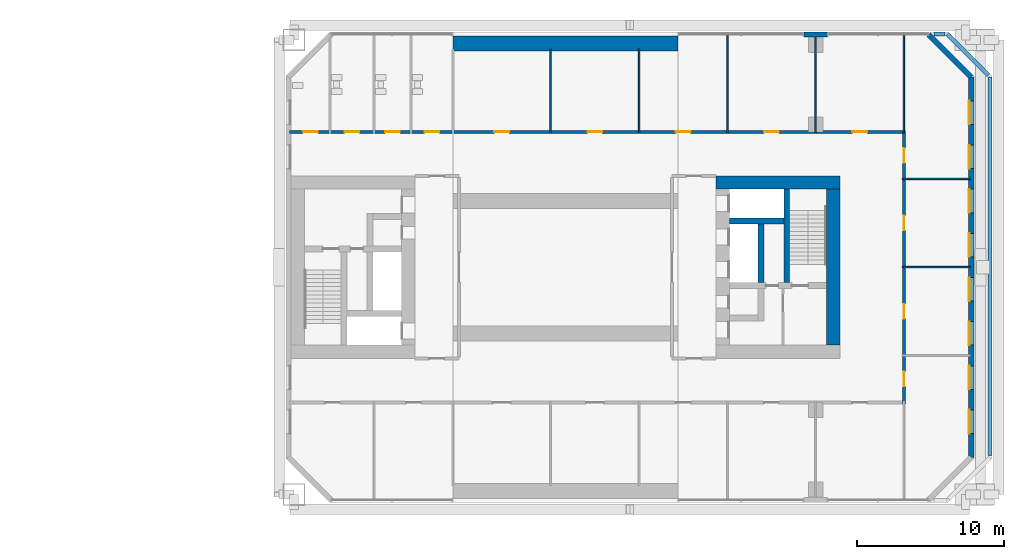
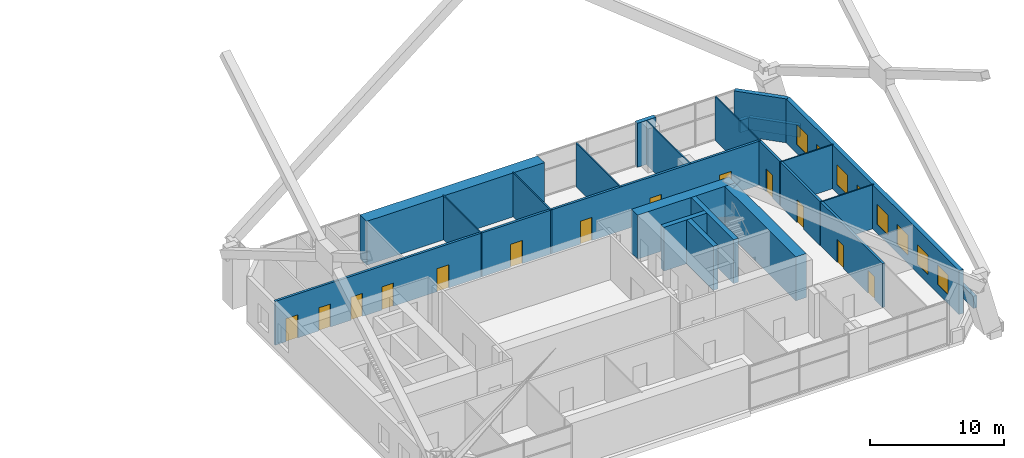
# One storey, part 22 of 25: 21 walls, 13 doors, 8 windows, 21 openings.
"""IFC4 building model written with IfcOpenShell, lengths in metres."""

from ifc_helpers import new_model, si_unit, direction, frame, frame_2d, origin, place, context, subcontext, project, spatial, rectangle, extrude, material, layer, layer_set, type_object, element, fill, save


model = new_model("IFC4")

# Units and contexts
model_context = context("Model", 3, precision=1e-05, world=origin(), true_north=direction((0.0, 1.0)))
body_context = subcontext(model_context, "Body", "Model", "MODEL_VIEW")
ifc_project = project(units=[si_unit("LENGTHUNIT", "METRE"), si_unit("AREAUNIT", "SQUARE_METRE"), si_unit("VOLUMEUNIT", "CUBIC_METRE"), si_unit("PLANEANGLEUNIT", "RADIAN"), si_unit("MASSUNIT", "GRAM", prefix="KILO")], contexts=[model_context])

# Site, building, storey
site_placement = place(None, origin())
site = spatial("IfcSite", under=ifc_project, at=site_placement, CompositionType="ELEMENT")
building_placement = place(site_placement, origin())
building = spatial("IfcBuilding", under=site, at=building_placement, Name="Tuart Gate Housing", CompositionType="ELEMENT")
storey_placement = place(building_placement, frame((0.0, 0.0, 14.699951171875)))
storey = spatial("IfcBuildingStorey", under=building, at=storey_placement, Name="L03", CompositionType="ELEMENT", Elevation=14.699951171875)

# Walls
ifc_material_1 = material(Name="Brick", Category="masonry")
ifc_layer_1 = layer(ifc_material_1, 0.300048828125)
ifc_layer_set_1 = layer_set([ifc_layer_1], Name="Brick parapet wall 300")
wall_type_1 = type_object("IfcWallType", Name="Brick parapet wall 300", PredefinedType="PARAPET", material=ifc_layer_set_1)
wall_1_placement = place(storey_placement, frame((178.85009765625, 57.214111328125, 0.0), z_axis=(0.0, 0.0, 1.0), x_axis=(0.0, 1.0, 0.0)))
element("IfcWall", 1, at=wall_1_placement, inside=storey, type_object=wall_type_1, Name="Roof parapet B 3", PredefinedType="PARAPET", context=body_context, shape_type="SweptSolid", body=[
    extrude(rectangle(XDim=25.723876953125, YDim=0.300048828125, at=frame_2d((12.86181640625, 0.0))), origin(), (0.0, 0.0, 1.0), 1.10009765625),
])
wall_2_placement = place(storey_placement, frame((178.742431640625, 83.04541015625, 0.0), z_axis=(0.0, 0.0, 1.0), x_axis=(-0.70707600329, 0.707137557743, 0.0)))
element("IfcWall", 2, at=wall_2_placement, inside=storey, type_object=wall_type_1, Name="Roof parapet B 4", PredefinedType="PARAPET", context=body_context, shape_type="SweptSolid", body=[
    extrude(rectangle(XDim=3.96630859375, YDim=0.300048828125, at=frame_2d((1.983154296875, 0.0))), origin(), (0.0, 0.0, 1.0), 1.10009765625),
])
wall_3_placement = place(storey_placement, frame((175.785888671875, 85.85009765625, 0.0), z_axis=(0.0, 0.0, 1.0), x_axis=(-1.0, 0.0, 0.0)))
element("IfcWall", 3, at=wall_3_placement, inside=storey, type_object=wall_type_1, Name="Roof parapet B 5", PredefinedType="PARAPET", context=body_context, shape_type="SweptSolid", body=[
    extrude(rectangle(XDim=0.73583984375, YDim=0.300048828125, at=frame_2d((0.367919921875, 0.0))), origin(), (0.0, 0.0, 1.0), 1.10009765625),
])

# Wall, openings, windows
ifc_material_2 = material(Name="Brick", Category="masonry")
ifc_layer_2 = layer(ifc_material_2, 0.360107421875)
ifc_layer_set_2 = layer_set([ifc_layer_2], Name="Brick pier and spandrel wall 360")
wall_type_2 = type_object("IfcWallType", Name="Brick pier and spandrel wall 360", PredefinedType="STANDARD", material=ifc_layer_set_2)
wall_4_placement = place(storey_placement, frame((177.570068359375, 57.07470703125, 0.0), z_axis=(0.0, 0.0, 1.0), x_axis=(0.0, 1.0, 0.0)))
wall_4 = element("IfcWall", 4, at=wall_4_placement, inside=storey, type_object=wall_type_2, Name="External wall B-E L03", PredefinedType="STANDARD", context=body_context, shape_type="SweptSolid", body=[
    extrude(rectangle(XDim=25.850830078125, YDim=0.360107421875, at=frame_2d((12.92529296875, 0.0))), origin(), (0.0, 0.0, 1.0), 4.0),
])
opening_1_placement = place(wall_4_placement, frame((1.62548828125, 0.0, 0.800048828125)))
opening_1 = element("IfcOpeningElement", 5, at=opening_1_placement, cuts=wall_4, Name="Opening W1", PredefinedType="OPENING", context=body_context, shape_type="SweptSolid", body=[
    extrude(rectangle(XDim=1.60009765625, YDim=1.800048828125, at=frame_2d((0.800048828125, 0.89990234375))), frame((0.0, 0.18994140625, 0.0), z_axis=(0.0, -1.0, 0.0), x_axis=(1.0, 0.0, 0.0)), (0.0, 0.0, 1.0), 0.380126953125),
])
opening_2_placement = place(wall_4_placement, frame((4.62548828125, 0.0, 0.800048828125)))
opening_2 = element("IfcOpeningElement", 6, at=opening_2_placement, cuts=wall_4, Name="Opening W1", PredefinedType="OPENING", context=body_context, shape_type="SweptSolid", body=[
    extrude(rectangle(XDim=1.60009765625, YDim=1.800048828125, at=frame_2d((0.800048828125, 0.89990234375))), frame((0.0, 0.18994140625, 0.0), z_axis=(0.0, -1.0, 0.0), x_axis=(1.0, 0.0, 0.0)), (0.0, 0.0, 1.0), 0.380126953125),
])
opening_3_placement = place(wall_4_placement, frame((7.62548828125, 0.0, 0.800048828125)))
opening_3 = element("IfcOpeningElement", 7, at=opening_3_placement, cuts=wall_4, Name="Opening W1", PredefinedType="OPENING", context=body_context, shape_type="SweptSolid", body=[
    extrude(rectangle(XDim=1.60009765625, YDim=1.800048828125, at=frame_2d((0.800048828125, 0.89990234375))), frame((0.0, 0.18994140625, 0.0), z_axis=(0.0, -1.0, 0.0), x_axis=(1.0, 0.0, 0.0)), (0.0, 0.0, 1.0), 0.380126953125),
])
opening_4_placement = place(wall_4_placement, frame((10.62548828125, 0.0, 0.800048828125)))
opening_4 = element("IfcOpeningElement", 8, at=opening_4_placement, cuts=wall_4, Name="Opening W1", PredefinedType="OPENING", context=body_context, shape_type="SweptSolid", body=[
    extrude(rectangle(XDim=1.60009765625, YDim=1.800048828125, at=frame_2d((0.800048828125, 0.89990234375))), frame((0.0, 0.18994140625, 0.0), z_axis=(0.0, -1.0, 0.0), x_axis=(1.0, 0.0, 0.0)), (0.0, 0.0, 1.0), 0.380126953125),
])
opening_5_placement = place(wall_4_placement, frame((13.62548828125, 0.0, 0.800048828125)))
opening_5 = element("IfcOpeningElement", 9, at=opening_5_placement, cuts=wall_4, Name="Opening W1", PredefinedType="OPENING", context=body_context, shape_type="SweptSolid", body=[
    extrude(rectangle(XDim=1.60009765625, YDim=1.800048828125, at=frame_2d((0.800048828125, 0.89990234375))), frame((0.0, 0.18994140625, 0.0), z_axis=(0.0, -1.0, 0.0), x_axis=(1.0, 0.0, 0.0)), (0.0, 0.0, 1.0), 0.380126953125),
])
opening_6_placement = place(wall_4_placement, frame((16.62548828125, 0.0, 0.800048828125)))
opening_6 = element("IfcOpeningElement", 10, at=opening_6_placement, cuts=wall_4, Name="Opening W1", PredefinedType="OPENING", context=body_context, shape_type="SweptSolid", body=[
    extrude(rectangle(XDim=1.60009765625, YDim=1.800048828125, at=frame_2d((0.800048828125, 0.89990234375))), frame((0.0, 0.18994140625, 0.0), z_axis=(0.0, -1.0, 0.0), x_axis=(1.0, 0.0, 0.0)), (0.0, 0.0, 1.0), 0.380126953125),
])
opening_7_placement = place(wall_4_placement, frame((19.62548828125, 0.0, 0.800048828125)))
opening_7 = element("IfcOpeningElement", 11, at=opening_7_placement, cuts=wall_4, Name="Opening W1", PredefinedType="OPENING", context=body_context, shape_type="SweptSolid", body=[
    extrude(rectangle(XDim=1.60009765625, YDim=1.800048828125, at=frame_2d((0.800048828125, 0.89990234375))), frame((0.0, 0.18994140625, 0.0), z_axis=(0.0, -1.0, 0.0), x_axis=(1.0, 0.0, 0.0)), (0.0, 0.0, 1.0), 0.380126953125),
])
opening_8_placement = place(wall_4_placement, frame((22.62548828125, 0.0, 0.800048828125)))
opening_8 = element("IfcOpeningElement", 12, at=opening_8_placement, cuts=wall_4, Name="Opening W1", PredefinedType="OPENING", context=body_context, shape_type="SweptSolid", body=[
    extrude(rectangle(XDim=1.60009765625, YDim=1.800048828125, at=frame_2d((0.800048828125, 0.89990234375))), frame((0.0, 0.18994140625, 0.0), z_axis=(0.0, -1.0, 0.0), x_axis=(1.0, 0.0, 0.0)), (0.0, 0.0, 1.0), 0.380126953125),
])
ifc_material_3 = material(Name="Aluminium frame with clear glass", Category="aluminium")
window_type = type_object("IfcWindowType", Name="Punched window 1600 x 1800", PartitioningType="SINGLE_PANEL", PredefinedType="WINDOW", material=ifc_material_3)
window_1_placement = place(opening_1_placement, origin())
window_1 = element("IfcWindow", 13, at=window_1_placement, inside=storey, type_object=window_type, Name="Window W1", OverallHeight=1.800048828125, OverallWidth=1.60009765625, PartitioningType="SINGLE_PANEL", PredefinedType="WINDOW", context=body_context, shape_type="SweptSolid", body=[
    extrude(rectangle(XDim=1.60009765625, YDim=1.800048828125, at=frame_2d((0.800048828125, 0.89990234375))), frame((0.0, 0.150146484375, 0.0), z_axis=(0.0, -1.0, 0.0), x_axis=(1.0, 0.0, 0.0)), (0.0, 0.0, 1.0), 0.06005859375),
])
fill(opening_1, window_1)
window_2_placement = place(opening_2_placement, origin())
window_2 = element("IfcWindow", 14, at=window_2_placement, inside=storey, type_object=window_type, Name="Window W1", OverallHeight=1.800048828125, OverallWidth=1.60009765625, PartitioningType="SINGLE_PANEL", PredefinedType="WINDOW", context=body_context, shape_type="SweptSolid", body=[
    extrude(rectangle(XDim=1.60009765625, YDim=1.800048828125, at=frame_2d((0.800048828125, 0.89990234375))), frame((0.0, 0.150146484375, 0.0), z_axis=(0.0, -1.0, 0.0), x_axis=(1.0, 0.0, 0.0)), (0.0, 0.0, 1.0), 0.06005859375),
])
fill(opening_2, window_2)
window_3_placement = place(opening_3_placement, origin())
window_3 = element("IfcWindow", 15, at=window_3_placement, inside=storey, type_object=window_type, Name="Window W1", OverallHeight=1.800048828125, OverallWidth=1.60009765625, PartitioningType="SINGLE_PANEL", PredefinedType="WINDOW", context=body_context, shape_type="SweptSolid", body=[
    extrude(rectangle(XDim=1.60009765625, YDim=1.800048828125, at=frame_2d((0.800048828125, 0.89990234375))), frame((0.0, 0.150146484375, 0.0), z_axis=(0.0, -1.0, 0.0), x_axis=(1.0, 0.0, 0.0)), (0.0, 0.0, 1.0), 0.06005859375),
])
fill(opening_3, window_3)
window_4_placement = place(opening_4_placement, origin())
window_4 = element("IfcWindow", 16, at=window_4_placement, inside=storey, type_object=window_type, Name="Window W1", OverallHeight=1.800048828125, OverallWidth=1.60009765625, PartitioningType="SINGLE_PANEL", PredefinedType="WINDOW", context=body_context, shape_type="SweptSolid", body=[
    extrude(rectangle(XDim=1.60009765625, YDim=1.800048828125, at=frame_2d((0.800048828125, 0.89990234375))), frame((0.0, 0.150146484375, 0.0), z_axis=(0.0, -1.0, 0.0), x_axis=(1.0, 0.0, 0.0)), (0.0, 0.0, 1.0), 0.06005859375),
])
fill(opening_4, window_4)
window_5_placement = place(opening_5_placement, origin())
window_5 = element("IfcWindow", 17, at=window_5_placement, inside=storey, type_object=window_type, Name="Window W1", OverallHeight=1.800048828125, OverallWidth=1.60009765625, PartitioningType="SINGLE_PANEL", PredefinedType="WINDOW", context=body_context, shape_type="SweptSolid", body=[
    extrude(rectangle(XDim=1.60009765625, YDim=1.800048828125, at=frame_2d((0.800048828125, 0.89990234375))), frame((0.0, 0.150146484375, 0.0), z_axis=(0.0, -1.0, 0.0), x_axis=(1.0, 0.0, 0.0)), (0.0, 0.0, 1.0), 0.06005859375),
])
fill(opening_5, window_5)
window_6_placement = place(opening_6_placement, origin())
window_6 = element("IfcWindow", 18, at=window_6_placement, inside=storey, type_object=window_type, Name="Window W1", OverallHeight=1.800048828125, OverallWidth=1.60009765625, PartitioningType="SINGLE_PANEL", PredefinedType="WINDOW", context=body_context, shape_type="SweptSolid", body=[
    extrude(rectangle(XDim=1.60009765625, YDim=1.800048828125, at=frame_2d((0.800048828125, 0.89990234375))), frame((0.0, 0.150146484375, 0.0), z_axis=(0.0, -1.0, 0.0), x_axis=(1.0, 0.0, 0.0)), (0.0, 0.0, 1.0), 0.06005859375),
])
fill(opening_6, window_6)
window_7_placement = place(opening_7_placement, origin())
window_7 = element("IfcWindow", 19, at=window_7_placement, inside=storey, type_object=window_type, Name="Window W1", OverallHeight=1.800048828125, OverallWidth=1.60009765625, PartitioningType="SINGLE_PANEL", PredefinedType="WINDOW", context=body_context, shape_type="SweptSolid", body=[
    extrude(rectangle(XDim=1.60009765625, YDim=1.800048828125, at=frame_2d((0.800048828125, 0.89990234375))), frame((0.0, 0.150146484375, 0.0), z_axis=(0.0, -1.0, 0.0), x_axis=(1.0, 0.0, 0.0)), (0.0, 0.0, 1.0), 0.06005859375),
])
fill(opening_7, window_7)
window_8_placement = place(opening_8_placement, origin())
window_8 = element("IfcWindow", 20, at=window_8_placement, inside=storey, type_object=window_type, Name="Window W1", OverallHeight=1.800048828125, OverallWidth=1.60009765625, PartitioningType="SINGLE_PANEL", PredefinedType="WINDOW", context=body_context, shape_type="SweptSolid", body=[
    extrude(rectangle(XDim=1.60009765625, YDim=1.800048828125, at=frame_2d((0.800048828125, 0.89990234375))), frame((0.0, 0.150146484375, 0.0), z_axis=(0.0, -1.0, 0.0), x_axis=(1.0, 0.0, 0.0)), (0.0, 0.0, 1.0), 0.06005859375),
])
fill(opening_8, window_8)

# Walls
wall_5_placement = place(storey_placement, frame((177.570068359375, 82.92529296875, 0.0), z_axis=(0.0, 0.0, 1.0), x_axis=(-0.707106781187, 0.707106781187, 0.0)))
element("IfcWall", 21, at=wall_5_placement, inside=storey, type_object=wall_type_2, Name="External wall B-NE L03", PredefinedType="STANDARD", context=body_context, shape_type="SweptSolid", body=[
    extrude(rectangle(XDim=4.09375, YDim=0.360107421875, at=frame_2d((2.046875, 0.0))), origin(), (0.0, 0.0, 1.0), 4.0),
])
wall_6_placement = place(storey_placement, frame((167.800048828125, 85.820068359375, 0.0), z_axis=(0.0, 0.0, 1.0), x_axis=(-1.0, 0.0, 0.0)))
element("IfcWall", 22, at=wall_6_placement, inside=storey, type_object=wall_type_2, Name="External wall B-N L03", PredefinedType="STANDARD", context=body_context, shape_type="SweptSolid", body=[
    extrude(rectangle(XDim=1.60009765625, YDim=0.360107421875, at=frame_2d((0.800048828125, 0.0))), origin(), (0.0, 0.0, 1.0), 4.0),
])
ifc_material_4 = material(Name="Concrete C60", Category="concrete")
ifc_layer_3 = layer(ifc_material_4, 0.39990234375)
ifc_layer_set_3 = layer_set([ifc_layer_3], Name="Core wall 400 C60")
wall_type_3 = type_object("IfcWallType", Name="Core wall 400 C60", PredefinedType="SHEAR", material=ifc_layer_set_3)
wall_7_placement = place(storey_placement, frame((161.139892578125, 73.14990234375, 0.0), z_axis=(0.0, 0.0, 1.0), x_axis=(1.0, 0.0, 0.0)))
element("IfcWall", 23, at=wall_7_placement, inside=storey, type_object=wall_type_3, Name="Core wall BK.1", PredefinedType="SHEAR", context=body_context, shape_type="SweptSolid", body=[
    extrude(rectangle(XDim=3.7001953125, YDim=0.39990234375, at=frame_2d((1.85009765625, 0.0))), origin(), (0.0, 0.0, 1.0), 4.0),
])
wall_8_placement = place(storey_placement, frame((163.2900390625, 72.949951171875, 0.0), z_axis=(0.0, 0.0, 1.0), x_axis=(0.0, -1.0, 0.0)))
element("IfcWall", 24, at=wall_8_placement, inside=storey, type_object=wall_type_3, Name="Core wall BK.4", PredefinedType="SHEAR", context=body_context, shape_type="SweptSolid", body=[
    extrude(rectangle(XDim=4.0, YDim=0.39990234375, at=frame_2d((2.0, 0.0))), origin(), (0.0, 0.0, 1.0), 4.0),
])
wall_9_placement = place(storey_placement, frame((165.0400390625, 75.300048828125, 0.0), z_axis=(0.0, 0.0, 1.0), x_axis=(0.0, -1.0, 0.0)))
element("IfcWall", 25, at=wall_9_placement, inside=storey, type_object=wall_type_3, Name="Core wall BK.7", PredefinedType="SHEAR", context=body_context, shape_type="SweptSolid", body=[
    extrude(rectangle(XDim=6.35009765625, YDim=0.39990234375, at=frame_2d((3.175048828125, 0.0))), origin(), (0.0, 0.0, 1.0), 4.0),
])
ifc_material_5 = material(Name="Concrete C60", Category="concrete")
ifc_layer_4 = layer(ifc_material_5, 0.89990234375)
ifc_layer_set_4 = layer_set([ifc_layer_4], Name="Core wall 900 C60")
wall_type_4 = type_object("IfcWallType", Name="Core wall 900 C60", PredefinedType="SHEAR", material=ifc_layer_set_4)
wall_10_placement = place(storey_placement, frame((168.18994140625, 75.300048828125, 0.0), z_axis=(0.0, 0.0, 1.0), x_axis=(0.0, -1.0, 0.0)))
element("IfcWall", 26, at=wall_10_placement, inside=storey, type_object=wall_type_4, Name="Core wall BK back", PredefinedType="SHEAR", context=body_context, shape_type="SweptSolid", body=[
    extrude(rectangle(XDim=10.60009765625, YDim=0.89990234375, at=frame_2d((5.300048828125, 0.0))), origin(), (0.0, 0.0, 1.0), 4.0),
])
wall_11_placement = place(storey_placement, frame((160.239990234375, 75.75, 0.0), z_axis=(0.0, 0.0, 1.0), x_axis=(1.0, 0.0, 0.0)))
element("IfcWall", 27, at=wall_11_placement, inside=storey, type_object=wall_type_4, Name="Core wall BK south", PredefinedType="SHEAR", context=body_context, shape_type="SweptSolid", body=[
    extrude(rectangle(XDim=8.39990234375, YDim=0.89990234375, at=frame_2d((4.199951171875, 0.0))), origin(), (0.0, 0.0, 1.0), 4.0),
])

# Wall, openings, doors
ifc_material_6 = material(Name="Concrete masonry 15 MPa", Category="masonry")
ifc_layer_5 = layer(ifc_material_6, 0.199951171875)
ifc_layer_set_5 = layer_set([ifc_layer_5], Name="Corridor wall masonry 200")
wall_type_5 = type_object("IfcWallType", Name="Corridor wall masonry 200", PredefinedType="PARTITIONING", material=ifc_layer_set_5)
wall_12_placement = place(storey_placement, frame((131.239990234375, 79.199951171875, 0.0), z_axis=(0.0, 0.0, 1.0), x_axis=(1.0, 0.0, 0.0)))
wall_12 = element("IfcWall", 28, at=wall_12_placement, inside=storey, type_object=wall_type_5, Name="Corridor wall masonry 200", PredefinedType="PARTITIONING", context=body_context, shape_type="SweptSolid", body=[
    extrude(rectangle(XDim=41.860107421875, YDim=0.199951171875, at=frame_2d((20.93017578125, 0.0))), origin(), (0.0, 0.0, 1.0), 4.0),
])
opening_9_placement = place(wall_12_placement, frame((0.93994140625, 0.0, 0.0)))
opening_9 = element("IfcOpeningElement", 29, at=opening_9_placement, cuts=wall_12, Name="Opening D036", PredefinedType="OPENING", context=body_context, shape_type="SweptSolid", body=[
    extrude(rectangle(XDim=1.0, YDim=2.10009765625, at=frame_2d((0.5, 1.050048828125))), frame((0.0, 0.10986328125, 0.0), z_axis=(0.0, -1.0, 0.0), x_axis=(1.0, 0.0, 0.0)), (0.0, 0.0, 1.0), 0.219970703125),
])
opening_10_placement = place(wall_12_placement, frame((3.760009765625, 0.0, 0.0)))
opening_10 = element("IfcOpeningElement", 30, at=opening_10_placement, cuts=wall_12, Name="Opening D037", PredefinedType="OPENING", context=body_context, shape_type="SweptSolid", body=[
    extrude(rectangle(XDim=1.0, YDim=2.10009765625, at=frame_2d((0.5, 1.050048828125))), frame((0.0, 0.10986328125, 0.0), z_axis=(0.0, -1.0, 0.0), x_axis=(1.0, 0.0, 0.0)), (0.0, 0.0, 1.0), 0.219970703125),
])
opening_11_placement = place(wall_12_placement, frame((6.510009765625, 0.0, 0.0)))
opening_11 = element("IfcOpeningElement", 31, at=opening_11_placement, cuts=wall_12, Name="Opening D038", PredefinedType="OPENING", context=body_context, shape_type="SweptSolid", body=[
    extrude(rectangle(XDim=1.0, YDim=2.10009765625, at=frame_2d((0.5, 1.050048828125))), frame((0.0, 0.10986328125, 0.0), z_axis=(0.0, -1.0, 0.0), x_axis=(1.0, 0.0, 0.0)), (0.0, 0.0, 1.0), 0.219970703125),
])
opening_12_placement = place(wall_12_placement, frame((9.18505859375, 0.0, 0.0)))
opening_12 = element("IfcOpeningElement", 32, at=opening_12_placement, cuts=wall_12, Name="Opening D039", PredefinedType="OPENING", context=body_context, shape_type="SweptSolid", body=[
    extrude(rectangle(XDim=1.0, YDim=2.10009765625, at=frame_2d((0.5, 1.050048828125))), frame((0.0, 0.10986328125, 0.0), z_axis=(0.0, -1.0, 0.0), x_axis=(1.0, 0.0, 0.0)), (0.0, 0.0, 1.0), 0.219970703125),
])
opening_13_placement = place(wall_12_placement, frame((13.93505859375, 0.0, 0.0)))
opening_13 = element("IfcOpeningElement", 33, at=opening_13_placement, cuts=wall_12, Name="Opening D040", PredefinedType="OPENING", context=body_context, shape_type="SweptSolid", body=[
    extrude(rectangle(XDim=1.0, YDim=2.10009765625, at=frame_2d((0.5, 1.050048828125))), frame((0.0, 0.10986328125, 0.0), z_axis=(0.0, -1.0, 0.0), x_axis=(1.0, 0.0, 0.0)), (0.0, 0.0, 1.0), 0.219970703125),
])
opening_14_placement = place(wall_12_placement, frame((20.260009765625, 0.0, 0.0)))
opening_14 = element("IfcOpeningElement", 34, at=opening_14_placement, cuts=wall_12, Name="Opening D041", PredefinedType="OPENING", context=body_context, shape_type="SweptSolid", body=[
    extrude(rectangle(XDim=1.0, YDim=2.10009765625, at=frame_2d((0.5, 1.050048828125))), frame((0.0, 0.10986328125, 0.0), z_axis=(0.0, -1.0, 0.0), x_axis=(1.0, 0.0, 0.0)), (0.0, 0.0, 1.0), 0.219970703125),
])
opening_15_placement = place(wall_12_placement, frame((26.260009765625, 0.0, 0.0)))
opening_15 = element("IfcOpeningElement", 35, at=opening_15_placement, cuts=wall_12, Name="Opening D042", PredefinedType="OPENING", context=body_context, shape_type="SweptSolid", body=[
    extrude(rectangle(XDim=1.0, YDim=2.10009765625, at=frame_2d((0.5, 1.050048828125))), frame((0.0, 0.10986328125, 0.0), z_axis=(0.0, -1.0, 0.0), x_axis=(1.0, 0.0, 0.0)), (0.0, 0.0, 1.0), 0.219970703125),
])
opening_16_placement = place(wall_12_placement, frame((32.260009765625, 0.0, 0.0)))
opening_16 = element("IfcOpeningElement", 36, at=opening_16_placement, cuts=wall_12, Name="Opening D043", PredefinedType="OPENING", context=body_context, shape_type="SweptSolid", body=[
    extrude(rectangle(XDim=1.0, YDim=2.10009765625, at=frame_2d((0.5, 1.050048828125))), frame((0.0, 0.10986328125, 0.0), z_axis=(0.0, -1.0, 0.0), x_axis=(1.0, 0.0, 0.0)), (0.0, 0.0, 1.0), 0.219970703125),
])
opening_17_placement = place(wall_12_placement, frame((38.260009765625, 0.0, 0.0)))
opening_17 = element("IfcOpeningElement", 37, at=opening_17_placement, cuts=wall_12, Name="Opening D044", PredefinedType="OPENING", context=body_context, shape_type="SweptSolid", body=[
    extrude(rectangle(XDim=1.0, YDim=2.10009765625, at=frame_2d((0.5, 1.050048828125))), frame((0.0, 0.10986328125, 0.0), z_axis=(0.0, -1.0, 0.0), x_axis=(1.0, 0.0, 0.0)), (0.0, 0.0, 1.0), 0.219970703125),
])
ifc_material_7 = material(Name="Timber door leaf in steel frame", Category="steel")
door_type_1 = type_object("IfcDoorType", Name="Fire door 1000", OperationType="SINGLE_SWING_LEFT", PredefinedType="DOOR", material=ifc_material_7)
door_1_placement = place(opening_9_placement, origin())
door_1 = element("IfcDoor", 38, at=door_1_placement, inside=storey, type_object=door_type_1, Name="Fire door 1000", OperationType="SINGLE_SWING_LEFT", OverallHeight=2.10009765625, OverallWidth=1.0, PredefinedType="DOOR", context=body_context, shape_type="SweptSolid", body=[
    extrude(rectangle(XDim=1.0, YDim=2.10009765625, at=frame_2d((0.5, 1.050048828125))), frame((0.0, 0.02490234375, 0.0), z_axis=(0.0, -1.0, 0.0), x_axis=(1.0, 0.0, 0.0)), (0.0, 0.0, 1.0), 0.050048828125),
])
fill(opening_9, door_1)
door_2_placement = place(opening_10_placement, origin())
door_2 = element("IfcDoor", 39, at=door_2_placement, inside=storey, type_object=door_type_1, Name="Fire door 1000", OperationType="SINGLE_SWING_LEFT", OverallHeight=2.10009765625, OverallWidth=1.0, PredefinedType="DOOR", context=body_context, shape_type="SweptSolid", body=[
    extrude(rectangle(XDim=1.0, YDim=2.10009765625, at=frame_2d((0.5, 1.050048828125))), frame((0.0, 0.02490234375, 0.0), z_axis=(0.0, -1.0, 0.0), x_axis=(1.0, 0.0, 0.0)), (0.0, 0.0, 1.0), 0.050048828125),
])
fill(opening_10, door_2)
door_3_placement = place(opening_11_placement, origin())
door_3 = element("IfcDoor", 40, at=door_3_placement, inside=storey, type_object=door_type_1, Name="Fire door 1000", OperationType="SINGLE_SWING_LEFT", OverallHeight=2.10009765625, OverallWidth=1.0, PredefinedType="DOOR", context=body_context, shape_type="SweptSolid", body=[
    extrude(rectangle(XDim=1.0, YDim=2.10009765625, at=frame_2d((0.5, 1.050048828125))), frame((0.0, 0.02490234375, 0.0), z_axis=(0.0, -1.0, 0.0), x_axis=(1.0, 0.0, 0.0)), (0.0, 0.0, 1.0), 0.050048828125),
])
fill(opening_11, door_3)
door_4_placement = place(opening_12_placement, origin())
door_4 = element("IfcDoor", 41, at=door_4_placement, inside=storey, type_object=door_type_1, Name="Fire door 1000", OperationType="SINGLE_SWING_LEFT", OverallHeight=2.10009765625, OverallWidth=1.0, PredefinedType="DOOR", context=body_context, shape_type="SweptSolid", body=[
    extrude(rectangle(XDim=1.0, YDim=2.10009765625, at=frame_2d((0.5, 1.050048828125))), frame((0.0, 0.02490234375, 0.0), z_axis=(0.0, -1.0, 0.0), x_axis=(1.0, 0.0, 0.0)), (0.0, 0.0, 1.0), 0.050048828125),
])
fill(opening_12, door_4)
door_5_placement = place(opening_13_placement, origin())
door_5 = element("IfcDoor", 42, at=door_5_placement, inside=storey, type_object=door_type_1, Name="Fire door 1000", OperationType="SINGLE_SWING_LEFT", OverallHeight=2.10009765625, OverallWidth=1.0, PredefinedType="DOOR", context=body_context, shape_type="SweptSolid", body=[
    extrude(rectangle(XDim=1.0, YDim=2.10009765625, at=frame_2d((0.5, 1.050048828125))), frame((0.0, 0.02490234375, 0.0), z_axis=(0.0, -1.0, 0.0), x_axis=(1.0, 0.0, 0.0)), (0.0, 0.0, 1.0), 0.050048828125),
])
fill(opening_13, door_5)
door_6_placement = place(opening_14_placement, origin())
door_6 = element("IfcDoor", 43, at=door_6_placement, inside=storey, type_object=door_type_1, Name="Fire door 1000", OperationType="SINGLE_SWING_LEFT", OverallHeight=2.10009765625, OverallWidth=1.0, PredefinedType="DOOR", context=body_context, shape_type="SweptSolid", body=[
    extrude(rectangle(XDim=1.0, YDim=2.10009765625, at=frame_2d((0.5, 1.050048828125))), frame((0.0, 0.02490234375, 0.0), z_axis=(0.0, -1.0, 0.0), x_axis=(1.0, 0.0, 0.0)), (0.0, 0.0, 1.0), 0.050048828125),
])
fill(opening_14, door_6)
door_7_placement = place(opening_15_placement, origin())
door_7 = element("IfcDoor", 44, at=door_7_placement, inside=storey, type_object=door_type_1, Name="Fire door 1000", OperationType="SINGLE_SWING_LEFT", OverallHeight=2.10009765625, OverallWidth=1.0, PredefinedType="DOOR", context=body_context, shape_type="SweptSolid", body=[
    extrude(rectangle(XDim=1.0, YDim=2.10009765625, at=frame_2d((0.5, 1.050048828125))), frame((0.0, 0.02490234375, 0.0), z_axis=(0.0, -1.0, 0.0), x_axis=(1.0, 0.0, 0.0)), (0.0, 0.0, 1.0), 0.050048828125),
])
fill(opening_15, door_7)
door_8_placement = place(opening_16_placement, origin())
door_8 = element("IfcDoor", 45, at=door_8_placement, inside=storey, type_object=door_type_1, Name="Fire door 1000", OperationType="SINGLE_SWING_LEFT", OverallHeight=2.10009765625, OverallWidth=1.0, PredefinedType="DOOR", context=body_context, shape_type="SweptSolid", body=[
    extrude(rectangle(XDim=1.0, YDim=2.10009765625, at=frame_2d((0.5, 1.050048828125))), frame((0.0, 0.02490234375, 0.0), z_axis=(0.0, -1.0, 0.0), x_axis=(1.0, 0.0, 0.0)), (0.0, 0.0, 1.0), 0.050048828125),
])
fill(opening_16, door_8)
door_9_placement = place(opening_17_placement, origin())
door_9 = element("IfcDoor", 46, at=door_9_placement, inside=storey, type_object=door_type_1, Name="Fire door 1000", OperationType="SINGLE_SWING_LEFT", OverallHeight=2.10009765625, OverallWidth=1.0, PredefinedType="DOOR", context=body_context, shape_type="SweptSolid", body=[
    extrude(rectangle(XDim=1.0, YDim=2.10009765625, at=frame_2d((0.5, 1.050048828125))), frame((0.0, 0.02490234375, 0.0), z_axis=(0.0, -1.0, 0.0), x_axis=(1.0, 0.0, 0.0)), (0.0, 0.0, 1.0), 0.050048828125),
])
fill(opening_17, door_9)

wall_13_placement = place(storey_placement, frame((173.0, 60.699951171875, 0.0), z_axis=(0.0, 0.0, 1.0), x_axis=(0.0, 1.0, 0.0)))
wall_13 = element("IfcWall", 47, at=wall_13_placement, inside=storey, type_object=wall_type_5, Name="Corridor wall masonry 200", PredefinedType="PARTITIONING", context=body_context, shape_type="SweptSolid", body=[
    extrude(rectangle(XDim=18.60009765625, YDim=0.199951171875, at=frame_2d((9.300048828125, 0.0))), origin(), (0.0, 0.0, 1.0), 4.0),
])
opening_18_placement = place(wall_13_placement, frame((1.199951171875, 0.0, 0.0)))
opening_18 = element("IfcOpeningElement", 48, at=opening_18_placement, cuts=wall_13, Name="Opening D055", PredefinedType="OPENING", context=body_context, shape_type="SweptSolid", body=[
    extrude(rectangle(XDim=1.0, YDim=2.10009765625, at=frame_2d((0.5, 1.050048828125))), frame((0.0, 0.10986328125, 0.0), z_axis=(0.0, -1.0, 0.0), x_axis=(1.0, 0.0, 0.0)), (0.0, 0.0, 1.0), 0.219970703125),
])
opening_19_placement = place(wall_13_placement, frame((5.800048828125, 0.0, 0.0)))
opening_19 = element("IfcOpeningElement", 49, at=opening_19_placement, cuts=wall_13, Name="Opening D056", PredefinedType="OPENING", context=body_context, shape_type="SweptSolid", body=[
    extrude(rectangle(XDim=1.0, YDim=2.10009765625, at=frame_2d((0.5, 1.050048828125))), frame((0.0, 0.10986328125, 0.0), z_axis=(0.0, -1.0, 0.0), x_axis=(1.0, 0.0, 0.0)), (0.0, 0.0, 1.0), 0.219970703125),
])
opening_20_placement = place(wall_13_placement, frame((11.800048828125, 0.0, 0.0)))
opening_20 = element("IfcOpeningElement", 50, at=opening_20_placement, cuts=wall_13, Name="Opening D057", PredefinedType="OPENING", context=body_context, shape_type="SweptSolid", body=[
    extrude(rectangle(XDim=1.0, YDim=2.10009765625, at=frame_2d((0.5, 1.050048828125))), frame((0.0, 0.10986328125, 0.0), z_axis=(0.0, -1.0, 0.0), x_axis=(1.0, 0.0, 0.0)), (0.0, 0.0, 1.0), 0.219970703125),
])
opening_21_placement = place(wall_13_placement, frame((16.39990234375, 0.0, 0.0)))
opening_21 = element("IfcOpeningElement", 51, at=opening_21_placement, cuts=wall_13, Name="Opening D058", PredefinedType="OPENING", context=body_context, shape_type="SweptSolid", body=[
    extrude(rectangle(XDim=1.0, YDim=2.10009765625, at=frame_2d((0.5, 1.050048828125))), frame((0.0, 0.10986328125, 0.0), z_axis=(0.0, -1.0, 0.0), x_axis=(1.0, 0.0, 0.0)), (0.0, 0.0, 1.0), 0.219970703125),
])
door_10_placement = place(opening_18_placement, frame((1.0, 0.0, 0.0), z_axis=(0.0, 0.0, 1.0), x_axis=(-1.0, 0.0, 0.0)))
door_10 = element("IfcDoor", 52, at=door_10_placement, inside=storey, type_object=door_type_1, Name="Fire door 1000", OperationType="SINGLE_SWING_LEFT", OverallHeight=2.10009765625, OverallWidth=1.0, PredefinedType="DOOR", context=body_context, shape_type="SweptSolid", body=[
    extrude(rectangle(XDim=1.0, YDim=2.10009765625, at=frame_2d((0.5, 1.050048828125))), frame((0.0, 0.025146484375, 0.0), z_axis=(0.0, -1.0, 0.0), x_axis=(1.0, 0.0, 0.0)), (0.0, 0.0, 1.0), 0.050048828125),
])
fill(opening_18, door_10)
ifc_material_8 = material(Name="Timber door leaf in steel frame", Category="steel")
door_type_2 = type_object("IfcDoorType", Name="Fire door 1000 RH", OperationType="SINGLE_SWING_RIGHT", PredefinedType="DOOR", material=ifc_material_8)
door_11_placement = place(opening_19_placement, frame((1.0, 0.0, 0.0), z_axis=(0.0, 0.0, 1.0), x_axis=(-1.0, 0.0, 0.0)))
door_11 = element("IfcDoor", 53, at=door_11_placement, inside=storey, type_object=door_type_2, Name="Fire door 1000", OperationType="SINGLE_SWING_RIGHT", OverallHeight=2.10009765625, OverallWidth=1.0, PredefinedType="DOOR", context=body_context, shape_type="SweptSolid", body=[
    extrude(rectangle(XDim=1.0, YDim=2.10009765625, at=frame_2d((0.5, 1.050048828125))), frame((0.0, 0.025146484375, 0.0), z_axis=(0.0, -1.0, 0.0), x_axis=(1.0, 0.0, 0.0)), (0.0, 0.0, 1.0), 0.050048828125),
])
fill(opening_19, door_11)
door_12_placement = place(opening_20_placement, frame((1.0, 0.0, 0.0), z_axis=(0.0, 0.0, 1.0), x_axis=(-1.0, 0.0, 0.0)))
door_12 = element("IfcDoor", 54, at=door_12_placement, inside=storey, type_object=door_type_2, Name="Fire door 1000", OperationType="SINGLE_SWING_RIGHT", OverallHeight=2.10009765625, OverallWidth=1.0, PredefinedType="DOOR", context=body_context, shape_type="SweptSolid", body=[
    extrude(rectangle(XDim=1.0, YDim=2.10009765625, at=frame_2d((0.5, 1.050048828125))), frame((0.0, 0.025146484375, 0.0), z_axis=(0.0, -1.0, 0.0), x_axis=(1.0, 0.0, 0.0)), (0.0, 0.0, 1.0), 0.050048828125),
])
fill(opening_20, door_12)
door_13_placement = place(opening_21_placement, frame((1.0, 0.0, 0.0), z_axis=(0.0, 0.0, 1.0), x_axis=(-1.0, 0.0, 0.0)))
door_13 = element("IfcDoor", 55, at=door_13_placement, inside=storey, type_object=door_type_2, Name="Fire door 1000", OperationType="SINGLE_SWING_RIGHT", OverallHeight=2.10009765625, OverallWidth=1.0, PredefinedType="DOOR", context=body_context, shape_type="SweptSolid", body=[
    extrude(rectangle(XDim=1.0, YDim=2.10009765625, at=frame_2d((0.5, 1.050048828125))), frame((0.0, 0.025146484375, 0.0), z_axis=(0.0, -1.0, 0.0), x_axis=(1.0, 0.0, 0.0)), (0.0, 0.0, 1.0), 0.050048828125),
])
fill(opening_21, door_13)

# Walls
ifc_material_9 = material(Name="Gypsum board on steel studs", Category="steel")
ifc_layer_6 = layer(ifc_material_9, 0.10009765625)
ifc_layer_set_6 = layer_set([ifc_layer_6], Name="Partition 100")
wall_type_6 = type_object("IfcWallType", Name="Partition 100", PredefinedType="PARTITIONING", material=ifc_layer_set_6)
for number, where, z_axis, x_axis, name in (
    (56, (172.89990234375, 70.0, 0.0), (0.0, 0.0, 1.0), (1.0, 0.0, 0.0), "Partition 100"),
    (57, (172.89990234375, 76.0, 0.0), (0.0, 0.0, 1.0), (1.0, 0.0, 0.0), "Partition 100"),
):
    element("IfcWall", number, at=place(storey_placement, frame(where, z_axis=z_axis, x_axis=x_axis)), inside=storey, type_object=wall_type_6, Name=name, PredefinedType="PARTITIONING", context=body_context, shape_type="SweptSolid", body=[
        extrude(rectangle(XDim=4.610107421875, YDim=0.10009765625, at=frame_2d((2.30517578125, 0.0))), origin(), (0.0, 0.0, 1.0), 4.0),
    ])
for number, where, z_axis, x_axis, name in (
    (58, (149.0, 79.10009765625, 0.0), (0.0, 0.0, 1.0), (0.0, 1.0, 0.0), "Partition 100"),
    (59, (155.0, 79.10009765625, 0.0), (0.0, 0.0, 1.0), (0.0, 1.0, 0.0), "Partition 100"),
):
    element("IfcWall", number, at=place(storey_placement, frame(where, z_axis=z_axis, x_axis=x_axis)), inside=storey, type_object=wall_type_6, Name=name, PredefinedType="PARTITIONING", context=body_context, shape_type="SweptSolid", body=[
        extrude(rectangle(XDim=5.719970703125, YDim=0.10009765625, at=frame_2d((2.85986328125, 0.0))), origin(), (0.0, 0.0, 1.0), 4.0),
    ])
for number, where, z_axis, x_axis, name in (
    (60, (161.0, 79.10009765625, 0.0), (0.0, 0.0, 1.0), (0.0, 1.0, 0.0), "Partition 100"),
    (61, (167.0, 79.10009765625, 0.0), (0.0, 0.0, 1.0), (0.0, 1.0, 0.0), "Partition 100"),
    (62, (173.0, 79.10009765625, 0.0), (0.0, 0.0, 1.0), (0.0, 1.0, 0.0), "Partition 100"),
):
    element("IfcWall", number, at=place(storey_placement, frame(where, z_axis=z_axis, x_axis=x_axis)), inside=storey, type_object=wall_type_6, Name=name, PredefinedType="PARTITIONING", context=body_context, shape_type="SweptSolid", body=[
        extrude(rectangle(XDim=6.659912109375, YDim=0.10009765625, at=frame_2d((3.330078125, 0.0))), origin(), (0.0, 0.0, 1.0), 4.0),
    ])
ifc_material_10 = material(Name="Concrete C60", Category="concrete")
ifc_layer_7 = layer(ifc_material_10, 1.0)
ifc_layer_set_7 = layer_set([ifc_layer_7], Name="RC wall 1000 C60")
wall_type_7 = type_object("IfcWallType", Name="RC wall 1000 C60", PredefinedType="SHEAR", material=ifc_layer_set_7)
wall_14_placement = place(storey_placement, frame((142.35009765625, 85.199951171875, 0.0), z_axis=(0.0, 0.0, 1.0), x_axis=(1.0, 0.0, 0.0)))
element("IfcWall", 63, at=wall_14_placement, inside=storey, type_object=wall_type_7, Name="Transfer wall B line 4 L03", PredefinedType="SHEAR", context=body_context, shape_type="SweptSolid", body=[
    extrude(rectangle(XDim=15.2998046875, YDim=1.0, at=frame_2d((7.64990234375, 0.0))), origin(), (0.0, 0.0, 1.0), 4.0),
])

save(model, "model.ifc")
